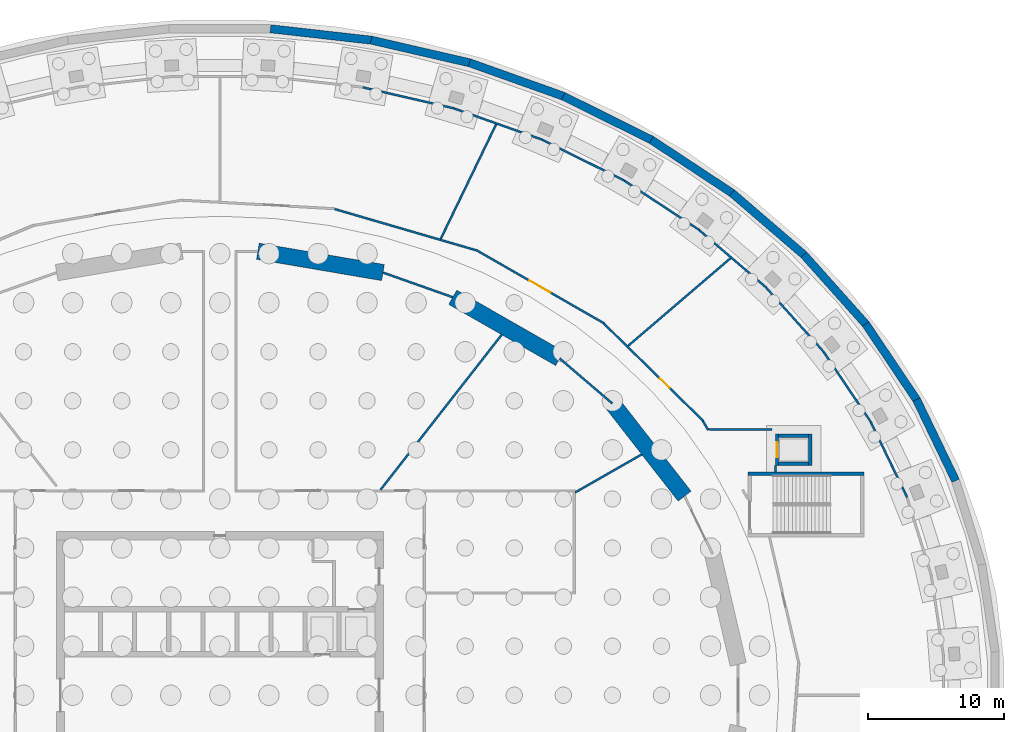
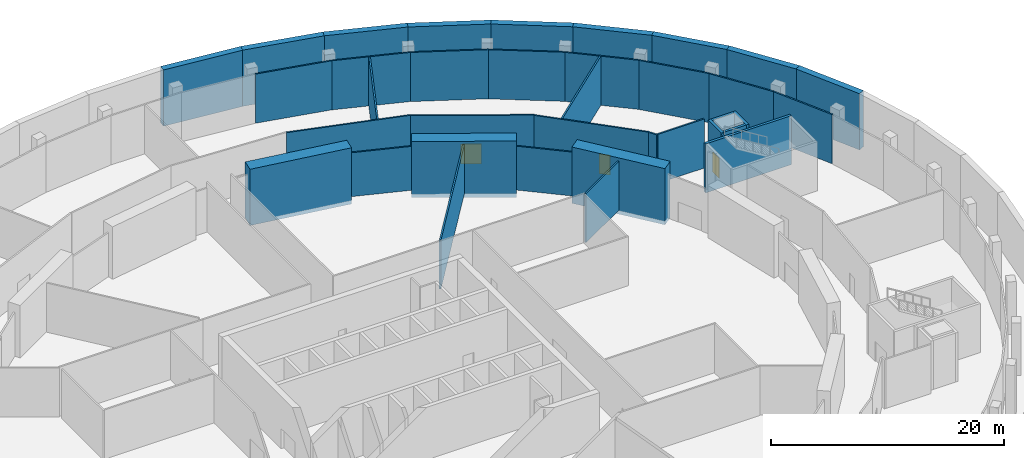
# One storey, part 12 of 15: 37 walls, 3 doors, 3 openings.
"""IFC4 building model written with IfcOpenShell, lengths in metres."""

from ifc_helpers import new_model, si_unit, direction, frame, frame_2d, origin, place, context, subcontext, project, spatial, polyline, rectangle, outline, extrude, material, layer, layer_set, type_object, element, fill, save


model = new_model("IFC4")

# Units and contexts
model_context = context("Model", 3, precision=1e-05, world=origin(), true_north=direction((0.0, 1.0)))
body_context = subcontext(model_context, "Body", "Model", "MODEL_VIEW")
ifc_project = project(units=[si_unit("LENGTHUNIT", "METRE"), si_unit("AREAUNIT", "SQUARE_METRE"), si_unit("VOLUMEUNIT", "CUBIC_METRE"), si_unit("PLANEANGLEUNIT", "RADIAN"), si_unit("MASSUNIT", "GRAM", prefix="KILO")], contexts=[model_context])

# Site, building, storey
site_placement = place(None, origin())
site = spatial("IfcSite", under=ifc_project, at=site_placement, CompositionType="ELEMENT")
building_placement = place(site_placement, origin())
building = spatial("IfcBuilding", under=site, at=building_placement, Name="Halqa Exchange Tower", CompositionType="ELEMENT")
storey_placement = place(building_placement, frame((0.0, 0.0, -15.0)))
storey = spatial("IfcBuildingStorey", under=building, at=storey_placement, Name="B3", CompositionType="ELEMENT", Elevation=-15.0)

# Walls
ifc_material_1 = material(Name="Fire-rated gypsum board")
ifc_layer_1 = layer(ifc_material_1, 0.14990234375)
ifc_layer_set_1 = layer_set([ifc_layer_1], Name="Fire-rated gypsum board")
wall_type_1 = type_object("IfcWallType", Name="Fire partition EI 60 150", PredefinedType="PARTITIONING", material=ifc_layer_set_1)
wall_1_placement = place(storey_placement, frame((8.416015625, 35.672119140625, 0.0), z_axis=(0.0, 0.0, 1.0), x_axis=(0.960099578905, -0.279658360479, 0.0)))
element("IfcWall", 1, at=wall_1_placement, inside=storey, type_object=wall_type_1, Name="B3-PWL-084", PredefinedType="PARTITIONING", context=body_context, shape_type="SweptSolid", body=[
    extrude(rectangle(XDim=10.97705078125, YDim=0.14990234375, at=frame_2d((5.488525390625, 0.0))), origin(), (0.0, 0.0, 1.0), 5.14990234375),
])
wall_2_placement = place(storey_placement, frame((10.4833984375, 44.600830078125, 0.0), z_axis=(0.0, 0.0, 1.0), x_axis=(0.974487031509, -0.224443813504, 0.0)))
element("IfcWall", 2, at=wall_2_placement, inside=storey, type_object=wall_type_1, Name="B3-PWL-086", PredefinedType="PARTITIONING", context=body_context, shape_type="SweptSolid", body=[
    extrude(rectangle(XDim=6.90625, YDim=0.14990234375, at=frame_2d((3.453125, 0.0))), origin(), (0.0, 0.0, 1.0), 5.14990234375),
])
wall_3_placement = place(storey_placement, frame((11.7880859375, 15.074462890625, 0.0), z_axis=(0.0, 0.0, 1.0), x_axis=(0.615848120598, 0.787864894735, 0.0)))
element("IfcWall", 3, at=wall_3_placement, inside=storey, type_object=wall_type_1, Name="B3-PWL-088", PredefinedType="PARTITIONING", context=body_context, shape_type="SweptSolid", body=[
    extrude(outline(polyline([(0.0, -0.074951171875), (14.44921875, -0.074951171875), (14.427734375, 0.074951171875), (0.0, 0.074951171875), (0.0, -0.074951171875)])), origin(), (0.0, 0.0, 1.0), 5.14990234375),
])
wall_4_placement = place(storey_placement, frame((16.2041015625, 33.480712890625, 0.0), z_axis=(0.0, 0.0, 1.0), x_axis=(0.435389941519, 0.90024196682, 0.0)))
element("IfcWall", 4, at=wall_4_placement, inside=storey, type_object=wall_type_1, Name="B3-PWL-095", PredefinedType="PARTITIONING", context=body_context, shape_type="SweptSolid", body=[
    extrude(outline(polyline([(0.0126953125, -0.074951171875), (9.339111328125, -0.074951171875), (9.322509765625, 0.074951171875), (-0.0126953125, 0.074951171875), (0.0126953125, -0.074951171875)])), origin(), (0.0, 0.0, 1.0), 5.14990234375),
])
wall_5_placement = place(storey_placement, frame((17.0908203125, 29.19970703125, 0.0), z_axis=(0.0, 0.0, 1.0), x_axis=(-0.942814385805, 0.333318217204, 0.0)))
element("IfcWall", 5, at=wall_5_placement, inside=storey, type_object=wall_type_1, Name="B3-PWL-096", PredefinedType="PARTITIONING", context=body_context, shape_type="SweptSolid", body=[
    extrude(outline(polyline([(-0.013671875, -0.074951171875), (5.44775390625, -0.074951171875), (5.421875, 0.074951171875), (0.013671875, 0.074951171875), (-0.013671875, -0.074951171875)])), origin(), (0.0, 0.0, 1.0), 4.60009765625),
])
wall_6_placement = place(storey_placement, frame((17.210693359375, 43.04150390625, 0.0), z_axis=(0.0, 0.0, 1.0), x_axis=(0.94266330093, -0.333745263757, 0.0)))
element("IfcWall", 6, at=wall_6_placement, inside=storey, type_object=wall_type_1, Name="B3-PWL-099", PredefinedType="PARTITIONING", context=body_context, shape_type="SweptSolid", body=[
    extrude(rectangle(XDim=6.83154296875, YDim=0.14990234375, at=frame_2d((3.415771484375, 0.0))), origin(), (0.0, 0.0, 1.0), 5.14990234375),
])

# Wall, opening, door
wall_7_placement = place(storey_placement, frame((18.94775390625, 32.579833984375, 0.0), z_axis=(0.0, 0.0, 1.0), x_axis=(0.867835024459, -0.496852463336, 0.0)))
wall_7 = element("IfcWall", 7, at=wall_7_placement, inside=storey, type_object=wall_type_1, Name="B3-PWL-100", PredefinedType="PARTITIONING", context=body_context, shape_type="SweptSolid", body=[
    extrude(rectangle(XDim=10.646728515625, YDim=0.14990234375, at=frame_2d((5.3232421875, 0.0))), origin(), (0.0, 0.0, 1.0), 5.14990234375),
])
opening_1_placement = place(wall_7_placement, frame((4.322509765625, 0.0, 0.0)))
opening_1 = element("IfcOpeningElement", 8, at=opening_1_placement, cuts=wall_7, Name="Opening B3-23", PredefinedType="OPENING", context=body_context, shape_type="SweptSolid", body=[
    extrude(rectangle(XDim=1.800048828125, YDim=2.10009765625, at=frame_2d((0.89990234375, 1.050048828125))), frame((0.0, 0.0869140625, 0.0), z_axis=(0.0, -1.0, 0.0), x_axis=(1.0, 0.0, 0.0)), (0.0, 0.0, 1.0), 0.173828125),
])
ifc_material_2 = material(Name="Steel fire door leaf", Category="steel")
door_type_1 = type_object("IfcDoorType", Name="Fire door FD30S double 1800 x 2100", OperationType="DOUBLE_DOOR_SINGLE_SWING", PredefinedType="DOOR", material=ifc_material_2)
door_1_placement = place(opening_1_placement, origin())
door_1 = element("IfcDoor", 9, at=door_1_placement, inside=storey, type_object=door_type_1, Name="B3-IDR-023", OperationType="DOUBLE_DOOR_SINGLE_SWING", OverallHeight=2.10009765625, OverallWidth=1.800048828125, PredefinedType="DOOR", context=body_context, shape_type="SweptSolid", body=[
    extrude(rectangle(XDim=1.800048828125, YDim=2.10009765625, at=frame_2d((0.89990234375, 1.050048828125))), frame((0.0, 0.02490234375, 0.0), z_axis=(0.0, -1.0, 0.0), x_axis=(1.0, 0.0, 0.0)), (0.0, 0.0, 1.0), 0.050048828125),
])
fill(opening_1, door_1)

# Walls
wall_8_placement = place(storey_placement, frame((23.646484375, 40.751953125, 0.0), z_axis=(0.0, 0.0, 1.0), x_axis=(0.895909442692, -0.444236727991, 0.0)))
element("IfcWall", 10, at=wall_8_placement, inside=storey, type_object=wall_type_1, Name="B3-PWL-101", PredefinedType="PARTITIONING", context=body_context, shape_type="SweptSolid", body=[
    extrude(rectangle(XDim=6.730712890625, YDim=0.14990234375, at=frame_2d((3.365234375, 0.0))), origin(), (0.0, 0.0, 1.0), 5.14990234375),
])
wall_9_placement = place(storey_placement, frame((26.07421875, 14.88232421875, 0.0), z_axis=(0.0, 0.0, 1.0), x_axis=(0.868133416031, 0.496330909746, 0.0)))
element("IfcWall", 11, at=wall_9_placement, inside=storey, type_object=wall_type_1, Name="B3-PWL-108", PredefinedType="PARTITIONING", context=body_context, shape_type="SweptSolid", body=[
    extrude(outline(polyline([(0.0, -0.074951171875), (5.625732421875, -0.074951171875), (5.604248046875, 0.074951171875), (0.0, 0.074951171875), (0.0, -0.074951171875)])), origin(), (0.0, 0.0, 1.0), 5.14990234375),
])

# Wall, opening, door
wall_10_placement = place(storey_placement, frame((28.173583984375, 27.267822265625, 0.0), z_axis=(0.0, 0.0, 1.0), x_axis=(0.714427427428, -0.699709547554, 0.0)))
wall_10 = element("IfcWall", 12, at=wall_10_placement, inside=storey, type_object=wall_type_1, Name="B3-PWL-109", PredefinedType="PARTITIONING", context=body_context, shape_type="SweptSolid", body=[
    extrude(rectangle(XDim=10.20166015625, YDim=0.14990234375, at=frame_2d((5.100830078125, 0.0))), origin(), (0.0, 0.0, 1.0), 5.14990234375),
])
opening_2_placement = place(wall_10_placement, frame((5.739501953125, 0.0, 0.0)))
opening_2 = element("IfcOpeningElement", 13, at=opening_2_placement, cuts=wall_10, Name="Opening B3-22", PredefinedType="OPENING", context=body_context, shape_type="SweptSolid", body=[
    extrude(rectangle(XDim=1.0, YDim=2.10009765625, at=frame_2d((0.5, 1.050048828125))), frame((0.0, 0.0869140625, 0.0), z_axis=(0.0, -1.0, 0.0), x_axis=(1.0, 0.0, 0.0)), (0.0, 0.0, 1.0), 0.173828125),
])
door_type_2 = type_object("IfcDoorType", Name="Fire door FD30S 1000 x 2100", OperationType="SINGLE_SWING_LEFT", PredefinedType="DOOR", material=ifc_material_2)
door_2_placement = place(opening_2_placement, origin())
door_2 = element("IfcDoor", 14, at=door_2_placement, inside=storey, type_object=door_type_2, Name="B3-IDR-022", OperationType="SINGLE_SWING_RIGHT", OverallHeight=2.10009765625, OverallWidth=1.0, PredefinedType="DOOR", context=body_context, shape_type="SweptSolid", body=[
    extrude(rectangle(XDim=1.0, YDim=2.10009765625, at=frame_2d((0.5, 1.050048828125))), frame((0.0, 0.02490234375, 0.0), z_axis=(0.0, -1.0, 0.0), x_axis=(1.0, 0.0, 0.0)), (0.0, 0.0, 1.0), 0.050048828125),
])
fill(opening_2, door_2)

# Walls
wall_11_placement = place(storey_placement, frame((28.789306640625, 21.41064453125, 0.0), z_axis=(0.0, 0.0, 1.0), x_axis=(-0.760084552743, 0.649824185978, 0.0)))
element("IfcWall", 15, at=wall_11_placement, inside=storey, type_object=wall_type_1, Name="B3-PWL-110", PredefinedType="PARTITIONING", context=body_context, shape_type="SweptSolid", body=[
    extrude(outline(polyline([(-0.015380859375, -0.074951171875), (5.089111328125, -0.074951171875), (5.060791015625, 0.074951171875), (0.015380859375, 0.074951171875), (-0.015380859375, -0.074951171875)])), origin(), (0.0, 0.0, 1.0), 4.60009765625),
])
wall_12_placement = place(storey_placement, frame((29.67138671875, 37.7529296875, 0.0), z_axis=(0.0, 0.0, 1.0), x_axis=(0.83553583791, -0.549435950378, 0.0)))
element("IfcWall", 16, at=wall_12_placement, inside=storey, type_object=wall_type_1, Name="B3-PWL-112", PredefinedType="PARTITIONING", context=body_context, shape_type="SweptSolid", body=[
    extrude(rectangle(XDim=6.6064453125, YDim=0.14990234375, at=frame_2d((3.30322265625, 0.0))), origin(), (0.0, 0.0, 1.0), 5.14990234375),
])
wall_13_placement = place(storey_placement, frame((29.950439453125, 25.631591796875, 0.0), z_axis=(0.0, 0.0, 1.0), x_axis=(0.759739094859, 0.650228042876, 0.0)))
element("IfcWall", 17, at=wall_13_placement, inside=storey, type_object=wall_type_1, Name="B3-PWL-114", PredefinedType="PARTITIONING", context=body_context, shape_type="SweptSolid", body=[
    extrude(outline(polyline([(0.006591796875, -0.074951171875), (9.901123046875, -0.074951171875), (9.877685546875, 0.074951171875), (-0.006591796875, 0.074951171875), (0.006591796875, -0.074951171875)])), origin(), (0.0, 0.0, 1.0), 5.14990234375),
])
wall_14_placement = place(storey_placement, frame((35.184814453125, 34.1142578125, 0.0), z_axis=(0.0, 0.0, 1.0), x_axis=(0.759033312601, -0.651051787773, 0.0)))
element("IfcWall", 18, at=wall_14_placement, inside=storey, type_object=wall_type_1, Name="B3-PWL-119", PredefinedType="PARTITIONING", context=body_context, shape_type="SweptSolid", body=[
    extrude(rectangle(XDim=6.484375, YDim=0.14990234375, at=frame_2d((3.2421875, 0.0))), origin(), (0.0, 0.0, 1.0), 5.14990234375),
])
wall_15_placement = place(storey_placement, frame((35.442626953125, 20.11083984375, 0.0), z_axis=(0.0, 0.0, 1.0), x_axis=(0.507767925719, -0.861493896444, 0.0)))
element("IfcWall", 19, at=wall_15_placement, inside=storey, type_object=wall_type_1, Name="B3-PWL-120", PredefinedType="PARTITIONING", context=body_context, shape_type="SweptSolid", body=[
    extrude(rectangle(XDim=0.770263671875, YDim=0.14990234375, at=frame_2d((0.38525390625, 0.0))), origin(), (0.0, 0.0, 1.0), 5.14990234375),
])
wall_16_placement = place(storey_placement, frame((35.888916015625, 19.5, 0.0), z_axis=(0.0, 0.0, 1.0), x_axis=(1.0, 0.0, 0.0)))
element("IfcWall", 20, at=wall_16_placement, inside=storey, type_object=wall_type_1, Name="B3-PWL-122", PredefinedType="PARTITIONING", context=body_context, shape_type="SweptSolid", body=[
    extrude(outline(polyline([(0.044921875, -0.074951171875), (4.635986328125, -0.074951171875), (4.635986328125, 0.074951171875), (-0.044921875, 0.074951171875), (0.044921875, -0.074951171875)])), origin(), (0.0, 0.0, 1.0), 5.14990234375),
])
wall_17_placement = place(storey_placement, frame((40.0986328125, 29.884521484375, 0.0), z_axis=(0.0, 0.0, 1.0), x_axis=(0.6673947824, -0.744704105283, 0.0)))
element("IfcWall", 21, at=wall_17_placement, inside=storey, type_object=wall_type_1, Name="B3-PWL-127", PredefinedType="PARTITIONING", context=body_context, shape_type="SweptSolid", body=[
    extrude(rectangle(XDim=6.338134765625, YDim=0.14990234375, at=frame_2d((3.1689453125, 0.0))), origin(), (0.0, 0.0, 1.0), 5.14990234375),
])
wall_18_placement = place(storey_placement, frame((40.75, 16.85009765625, 0.0), z_axis=(0.0, 0.0, 1.0), x_axis=(0.0, -1.0, 0.0)))
element("IfcWall", 22, at=wall_18_placement, inside=storey, type_object=wall_type_1, Name="B3-PWL-131", PredefinedType="PARTITIONING", context=body_context, shape_type="SweptSolid", body=[
    extrude(rectangle(XDim=0.47607421875, YDim=0.14990234375, at=frame_2d((0.238037109375, 0.0))), origin(), (0.0, 0.0, 1.0), 5.14990234375),
])
wall_19_placement = place(storey_placement, frame((44.319091796875, 25.156982421875, 0.0), z_axis=(0.0, 0.0, 1.0), x_axis=(0.558812320082, -0.829294152231, 0.0)))
element("IfcWall", 23, at=wall_19_placement, inside=storey, type_object=wall_type_1, Name="B3-PWL-134", PredefinedType="PARTITIONING", context=body_context, shape_type="SweptSolid", body=[
    extrude(rectangle(XDim=6.2099609375, YDim=0.14990234375, at=frame_2d((3.10498046875, 0.0))), origin(), (0.0, 0.0, 1.0), 5.14990234375),
])
wall_20_placement = place(storey_placement, frame((47.7783203125, 20.000732421875, 0.0), z_axis=(0.0, 0.0, 1.0), x_axis=(0.434690826011, -0.900579749818, 0.0)))
element("IfcWall", 24, at=wall_20_placement, inside=storey, type_object=wall_type_1, Name="B3-PWL-136", PredefinedType="PARTITIONING", context=body_context, shape_type="SweptSolid", body=[
    extrude(rectangle(XDim=6.095947265625, YDim=0.14990234375, at=frame_2d((3.0478515625, 0.0))), origin(), (0.0, 0.0, 1.0), 5.14990234375),
])

# Wall, opening, door
ifc_material_3 = material(Name="Gypsum board")
ifc_layer_2 = layer(ifc_material_3, 0.25)
ifc_layer_set_2 = layer_set([ifc_layer_2], Name="Gypsum board")
wall_type_2 = type_object("IfcWallType", Name="Penthouse riser wall 250 gypsum", PredefinedType="PARTITIONING", material=ifc_layer_set_2)
wall_21_placement = place(storey_placement, frame((40.875, 16.85009765625, 0.0), z_axis=(0.0, 0.0, 1.0), x_axis=(0.0, 1.0, 0.0)))
wall_21 = element("IfcWall", 25, at=wall_21_placement, inside=storey, type_object=wall_type_2, Name="Station lift AL1 wall west", PredefinedType="PARTITIONING", context=body_context, shape_type="SweptSolid", body=[
    extrude(rectangle(XDim=2.2998046875, YDim=0.25, at=frame_2d((1.14990234375, 0.0))), origin(), (0.0, 0.0, 1.0), 5.14990234375),
])
opening_3_placement = place(wall_21_placement, frame((0.60009765625, 0.0, 0.0)))
opening_3 = element("IfcOpeningElement", 26, at=opening_3_placement, cuts=wall_21, Name="Opening LD-AL1-B3", PredefinedType="OPENING", context=body_context, shape_type="SweptSolid", body=[
    extrude(rectangle(XDim=1.10009765625, YDim=2.10009765625, at=frame_2d((0.550048828125, 1.050048828125))), frame((0.0, 0.136962890625, 0.0), z_axis=(0.0, -1.0, 0.0), x_axis=(1.0, 0.0, 0.0)), (0.0, 0.0, 1.0), 0.27392578125),
])
ifc_material_4 = material(Name="Stainless steel", Category="steel")
door_type_3 = type_object("IfcDoorType", Name="Lift landing door 1100 x 2100", OperationType="SLIDING_TO_LEFT", PredefinedType="DOOR", material=ifc_material_4)
door_3_placement = place(opening_3_placement, origin())
door_3 = element("IfcDoor", 27, at=door_3_placement, inside=storey, type_object=door_type_3, Name="Lift landing door AL1", OperationType="SLIDING_TO_LEFT", OverallHeight=2.10009765625, OverallWidth=1.10009765625, PredefinedType="DOOR", context=body_context, shape_type="SweptSolid", body=[
    extrude(rectangle(XDim=1.10009765625, YDim=2.10009765625, at=frame_2d((0.550048828125, 1.050048828125))), frame((0.0, 0.02490234375, 0.0), z_axis=(0.0, -1.0, 0.0), x_axis=(1.0, 0.0, 0.0)), (0.0, 0.0, 1.0), 0.050048828125),
])
fill(opening_3, door_3)

# Walls
wall_22_placement = place(storey_placement, frame((43.324951171875, 16.85009765625, 0.0), z_axis=(0.0, 0.0, 1.0), x_axis=(0.0, 1.0, 0.0)))
element("IfcWall", 28, at=wall_22_placement, inside=storey, type_object=wall_type_2, Name="Station lift AL1 wall east", PredefinedType="PARTITIONING", context=body_context, shape_type="SweptSolid", body=[
    extrude(rectangle(XDim=2.2998046875, YDim=0.25, at=frame_2d((1.14990234375, 0.0))), origin(), (0.0, 0.0, 1.0), 5.14990234375),
])
for number, where, z_axis, x_axis, name in (
    (29, (41.0, 19.02490234375, 0.0), (0.0, 0.0, 1.0), (1.0, 0.0, 0.0), "Station lift AL1 wall north"),
    (30, (41.0, 16.97509765625, 0.0), (0.0, 0.0, 1.0), (1.0, 0.0, 0.0), "Station lift AL1 wall south"),
):
    element("IfcWall", number, at=place(storey_placement, frame(where, z_axis=z_axis, x_axis=x_axis)), inside=storey, type_object=wall_type_2, Name=name, PredefinedType="PARTITIONING", context=body_context, shape_type="SweptSolid", body=[
        extrude(rectangle(XDim=2.199951171875, YDim=0.25, at=frame_2d((1.10009765625, 0.0))), origin(), (0.0, 0.0, 1.0), 5.14990234375),
    ])
ifc_material_5 = material(Name="Concrete C40/50", Category="concrete")
ifc_layer_3 = layer(ifc_material_5, 0.60009765625)
ifc_layer_set_3 = layer_set([ifc_layer_3], Name="Concrete C40/50")
wall_type_3 = type_object("IfcWallType", Name="RC basement wall 600", PredefinedType="SOLIDWALL", material=ifc_layer_set_3)
wall_23_placement = place(storey_placement, frame((53.984619140625, 15.730712890625, -0.39990234375), z_axis=(0.0, 0.0, 1.0), x_axis=(-0.434104041315, 0.900862742772, 0.0)))
element("IfcWall", 31, at=wall_23_placement, inside=storey, type_object=wall_type_3, Name="Basement retaining wall", PredefinedType="SOLIDWALL", context=body_context, shape_type="SweptSolid", body=[
    extrude(rectangle(XDim=6.61669921875, YDim=0.60009765625, at=frame_2d((3.308349609375, 0.0))), origin(), (0.0, 0.0, 1.0), 5.89990234375),
])
wall_24_placement = place(storey_placement, frame((51.133544921875, 21.654296875, -0.39990234375), z_axis=(0.0, 0.0, 1.0), x_axis=(-0.557518861869, 0.830164272093, 0.0)))
element("IfcWall", 32, at=wall_24_placement, inside=storey, type_object=wall_type_3, Name="Basement retaining wall", PredefinedType="SOLIDWALL", context=body_context, shape_type="SweptSolid", body=[
    extrude(rectangle(XDim=6.728515625, YDim=0.60009765625, at=frame_2d((3.3642578125, 0.0))), origin(), (0.0, 0.0, 1.0), 5.89990234375),
])
wall_25_placement = place(storey_placement, frame((47.407470703125, 27.20751953125, -0.39990234375), z_axis=(0.0, 0.0, 1.0), x_axis=(-0.665894053378, 0.74604631872, 0.0)))
element("IfcWall", 33, at=wall_25_placement, inside=storey, type_object=wall_type_3, Name="Basement retaining wall", PredefinedType="SOLIDWALL", context=body_context, shape_type="SweptSolid", body=[
    extrude(rectangle(XDim=6.8564453125, YDim=0.60009765625, at=frame_2d((3.42822265625, 0.0))), origin(), (0.0, 0.0, 1.0), 5.89990234375),
])
wall_26_placement = place(storey_placement, frame((42.869873046875, 32.294921875, -0.39990234375), z_axis=(0.0, 0.0, 1.0), x_axis=(-0.758319142722, 0.65188348482, 0.0)))
element("IfcWall", 34, at=wall_26_placement, inside=storey, type_object=wall_type_3, Name="Basement retaining wall", PredefinedType="SOLIDWALL", context=body_context, shape_type="SweptSolid", body=[
    extrude(rectangle(XDim=6.991455078125, YDim=0.60009765625, at=frame_2d((3.49560546875, 0.0))), origin(), (0.0, 0.0, 1.0), 5.89990234375),
])
wall_27_placement = place(storey_placement, frame((37.5986328125, 36.82958984375, -0.39990234375), z_axis=(0.0, 0.0, 1.0), x_axis=(-0.834745196239, 0.550636411215, 0.0)))
element("IfcWall", 35, at=wall_27_placement, inside=storey, type_object=wall_type_3, Name="Basement retaining wall", PredefinedType="SOLIDWALL", context=body_context, shape_type="SweptSolid", body=[
    extrude(rectangle(XDim=7.123779296875, YDim=0.60009765625, at=frame_2d((3.56201171875, 0.0))), origin(), (0.0, 0.0, 1.0), 5.89990234375),
])
wall_28_placement = place(storey_placement, frame((31.68408203125, 40.73388671875, -0.39990234375), z_axis=(0.0, 0.0, 1.0), x_axis=(-0.895750986496, 0.44455614965, 0.0)))
element("IfcWall", 36, at=wall_28_placement, inside=storey, type_object=wall_type_3, Name="Basement retaining wall", PredefinedType="SOLIDWALL", context=body_context, shape_type="SweptSolid", body=[
    extrude(rectangle(XDim=7.244873046875, YDim=0.60009765625, at=frame_2d((3.62255859375, 0.0))), origin(), (0.0, 0.0, 1.0), 5.89990234375),
])
wall_29_placement = place(storey_placement, frame((25.227294921875, 43.94091796875, -0.39990234375), z_axis=(0.0, 0.0, 1.0), x_axis=(-0.942060991409, 0.33544163198, 0.0)))
element("IfcWall", 37, at=wall_29_placement, inside=storey, type_object=wall_type_3, Name="Basement retaining wall", PredefinedType="SOLIDWALL", context=body_context, shape_type="SweptSolid", body=[
    extrude(rectangle(XDim=7.347412109375, YDim=0.60009765625, at=frame_2d((3.673828125, 0.0))), origin(), (0.0, 0.0, 1.0), 5.89990234375),
])
wall_30_placement = place(storey_placement, frame((18.3388671875, 46.395751953125, -0.39990234375), z_axis=(0.0, 0.0, 1.0), x_axis=(-0.974485322097, 0.224451235276, 0.0)))
element("IfcWall", 38, at=wall_30_placement, inside=storey, type_object=wall_type_3, Name="Basement retaining wall", PredefinedType="SOLIDWALL", context=body_context, shape_type="SweptSolid", body=[
    extrude(rectangle(XDim=7.4248046875, YDim=0.60009765625, at=frame_2d((3.71240234375, 0.0))), origin(), (0.0, 0.0, 1.0), 5.89990234375),
])
wall_31_placement = place(storey_placement, frame((11.13720703125, 48.056640625, -0.39990234375), z_axis=(0.0, 0.0, 1.0), x_axis=(-0.993658203282, 0.112442763445, 0.0)))
element("IfcWall", 39, at=wall_31_placement, inside=storey, type_object=wall_type_3, Name="Basement retaining wall", PredefinedType="SOLIDWALL", context=body_context, shape_type="SweptSolid", body=[
    extrude(rectangle(XDim=7.473388671875, YDim=0.60009765625, at=frame_2d((3.73681640625, 0.0))), origin(), (0.0, 0.0, 1.0), 5.89990234375),
])
ifc_material_6 = material(Name="Concrete C80/95", Category="concrete")
ifc_layer_4 = layer(ifc_material_6, 1.199951171875)
ifc_layer_set_4 = layer_set([ifc_layer_4], Name="Concrete C80/95")
wall_type_4 = type_object("IfcWallType", Name="RC ring pier 1200 C80/95", PredefinedType="SHEAR", material=ifc_layer_set_4)
wall_32_placement = place(storey_placement, frame((34.09716796875, 14.60498046875, -0.39990234375), z_axis=(0.0, 0.0, 1.0), x_axis=(-0.614825322247, 0.788663314174, 0.0)))
element("IfcWall", 40, at=wall_32_placement, inside=storey, type_object=wall_type_4, Name="Ring pier 2", PredefinedType="SHEAR", context=body_context, shape_type="SweptSolid", body=[
    extrude(rectangle(XDim=8.631591796875, YDim=1.199951171875, at=frame_2d((4.31591796875, 0.0))), origin(), (0.0, 0.0, 1.0), 5.89990234375),
])
wall_33_placement = place(storey_placement, frame((24.931396484375, 24.705810546875, -0.39990234375), z_axis=(0.0, 0.0, 1.0), x_axis=(-0.867760656864, 0.496982336103, 0.0)))
element("IfcWall", 41, at=wall_33_placement, inside=storey, type_object=wall_type_4, Name="Ring pier 3", PredefinedType="SHEAR", context=body_context, shape_type="SweptSolid", body=[
    extrude(rectangle(XDim=9.037841796875, YDim=1.199951171875, at=frame_2d((4.51904296875, 0.0))), origin(), (0.0, 0.0, 1.0), 5.89990234375),
])
wall_34_placement = place(storey_placement, frame((11.96728515625, 31.00927734375, -0.39990234375), z_axis=(0.0, 0.0, 1.0), x_axis=(-0.985776286846, 0.168062822456, 0.0)))
element("IfcWall", 42, at=wall_34_placement, inside=storey, type_object=wall_type_4, Name="Ring pier 4", PredefinedType="SHEAR", context=body_context, shape_type="SweptSolid", body=[
    extrude(rectangle(XDim=9.3115234375, YDim=1.199951171875, at=frame_2d((4.65576171875, 0.0))), origin(), (0.0, 0.0, 1.0), 5.89990234375),
])
ifc_material_7 = material(Name="Concrete C30/37", Category="concrete")
ifc_layer_5 = layer(ifc_material_7, 0.25)
ifc_layer_set_5 = layer_set([ifc_layer_5], Name="Concrete C30/37")
wall_type_5 = type_object("IfcWallType", Name="RC stair wall 250 C30/37", PredefinedType="SHEAR", material=ifc_layer_set_5)
wall_35_placement = place(storey_placement, frame((38.75, 16.25, 0.0), z_axis=(0.0, 0.0, 1.0), x_axis=(1.0, 0.0, 0.0)))
element("IfcWall", 43, at=wall_35_placement, inside=storey, type_object=wall_type_5, Name="Stair SS1 wall north", PredefinedType="SHEAR", context=body_context, shape_type="SweptSolid", body=[
    extrude(rectangle(XDim=8.5, YDim=0.25, at=frame_2d((4.25, 0.0))), origin(), (0.0, 0.0, 1.0), 5.14990234375),
])

save(model, "model.ifc")
